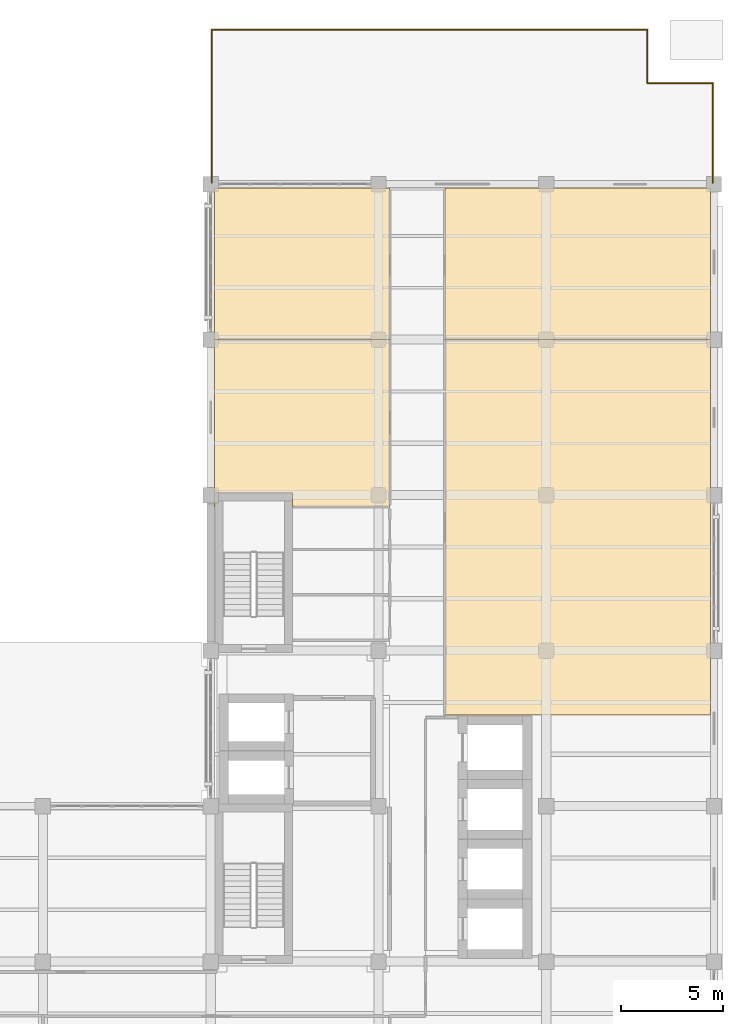
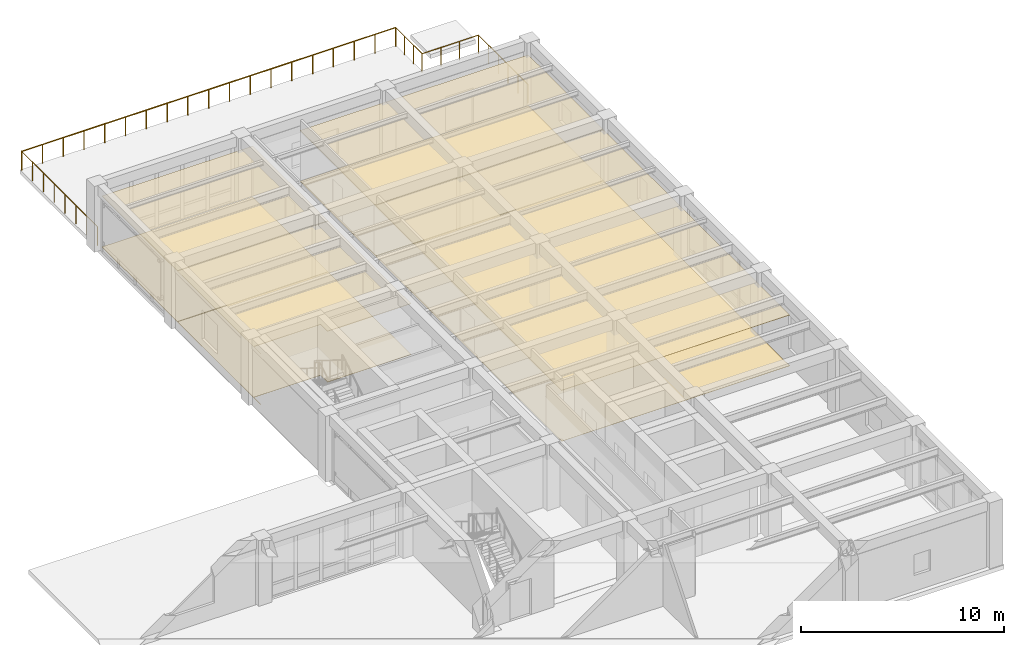
# One storey, part 12 of 12: 8 coverings, 5 railings.
"""IFC4 building model written with IfcOpenShell, lengths in metres."""

from ifc_helpers import new_model, si_unit, direction, frame, origin, origin_2d, place, context, subcontext, project, spatial, polyline, circle, outline, extrude, material, layer, layer_set, type_object, element, save


model = new_model("IFC4")

# Units and contexts
model_context = context("Model", 3, precision=1e-05, world=origin(), true_north=direction((0.0, 1.0)))
body_context = subcontext(model_context, "Body", "Model", "MODEL_VIEW")
ifc_project = project(units=[si_unit("LENGTHUNIT", "METRE"), si_unit("AREAUNIT", "SQUARE_METRE"), si_unit("VOLUMEUNIT", "CUBIC_METRE"), si_unit("PLANEANGLEUNIT", "RADIAN"), si_unit("MASSUNIT", "GRAM", prefix="KILO")], contexts=[model_context])

# Site, building, storey
site_placement = place(None, origin())
site = spatial("IfcSite", under=ifc_project, at=site_placement, CompositionType="ELEMENT")
building_placement = place(site_placement, origin())
building = spatial("IfcBuilding", under=site, at=building_placement, Name="Qandaris Square Conservatory and Botanical Centre", CompositionType="ELEMENT")
storey_placement = place(building_placement, frame((0.0, 0.0, 53.39990234375)))
storey = spatial("IfcBuildingStorey", under=building, at=storey_placement, Name="L12", CompositionType="ELEMENT", Elevation=53.39990234375)

# Coverings
ifc_material_1 = material(Name="Honed Qatari Limestone", Category="masonry")
ifc_layer_1 = layer(ifc_material_1, 0.030029296875)
ifc_layer_set_1 = layer_set([ifc_layer_1], Name="Honed Qatari Limestone")
covering_type_1 = type_object("IfcCoveringType", Name="Honed Qatari Limestone Concourse Paving", PredefinedType="FLOORING", material=ifc_layer_set_1)
covering_1_placement = place(storey_placement, origin())
element("IfcCovering", 1, at=covering_1_placement, inside=storey, type_object=covering_type_1, Name="Metabolomics Collaborative Seminar Room Flooring", PredefinedType="FLOORING", context=body_context, shape_type="SweptSolid", body=[
    extrude(outline(polyline([(147.949951171875, 61.89990234375), (147.949951171875, 54.60009765625), (139.3798828125, 54.60009765625), (139.3798828125, 62.02001953125), (147.949951171875, 62.02001953125), (147.949951171875, 61.89990234375)])), origin(), (0.0, 0.0, 1.0), 0.030029296875),
])
covering_2_placement = place(storey_placement, origin())
element("IfcCovering", 2, at=covering_2_placement, inside=storey, type_object=covering_type_1, Name="Floor L12 Staff Write-Up Lounge Flooring", PredefinedType="FLOORING", context=body_context, shape_type="SweptSolid", body=[
    extrude(outline(polyline([(150.64990234375, 54.60009765625), (150.64990234375, 61.89990234375), (150.64990234375, 62.02001953125), (163.6201171875, 62.02001953125), (163.6201171875, 54.60009765625), (150.64990234375, 54.60009765625)])), origin(), (0.0, 0.0, 1.0), 0.030029296875),
])
ifc_material_2 = material(Name="Gypsum Plasterboard", Category="gypsum")
ifc_layer_2 = layer(ifc_material_2, 0.02490234375)
ifc_layer_set_2 = layer_set([ifc_layer_2], Name="Gypsum Plasterboard")
covering_type_2 = type_object("IfcCoveringType", Name="Perforated Acoustic Lab Ceiling Tile", PredefinedType="CEILING", material=ifc_layer_set_2)
covering_3_placement = place(storey_placement, frame((0.0, 0.0, 3.050048828125)))
element("IfcCovering", 3, at=covering_3_placement, inside=storey, type_object=covering_type_2, Name="Molecular Plant Biology Analytical Laboratory Ceiling", PredefinedType="CEILING", context=body_context, shape_type="SweptSolid", body=[
    extrude(outline(polyline([(150.64990234375, 54.60009765625), (163.6201171875, 54.60009765625), (163.6201171875, 36.25), (150.64990234375, 36.25), (150.64990234375, 54.60009765625)])), origin(), (0.0, 0.0, 1.0), 0.025146484375),
])
covering_4_placement = place(storey_placement, frame((0.0, 0.0, 3.050048828125)))
element("IfcCovering", 4, at=covering_4_placement, inside=storey, type_object=covering_type_2, Name="Cell Wall Biophysics Specimen Prep Room Ceiling", PredefinedType="CEILING", context=body_context, shape_type="SweptSolid", body=[
    extrude(outline(polyline([(147.949951171875, 46.419921875), (143.199951171875, 46.419921875), (143.199951171875, 47.10009765625), (139.39990234375, 47.10009765625), (139.39990234375, 46.419921875), (139.3798828125, 46.419921875), (139.3798828125, 54.60009765625), (147.949951171875, 54.60009765625), (147.949951171875, 46.419921875)])), origin(), (0.0, 0.0, 1.0), 0.025146484375),
])
ifc_material_3 = material(Name="Epoxy Resin Screed", Category="finish")
ifc_layer_3 = layer(ifc_material_3, 0.014892578125)
ifc_layer_set_3 = layer_set([ifc_layer_3], Name="Epoxy Resin Screed")
covering_type_3 = type_object("IfcCoveringType", Name="Seamless Epoxy Laboratory Flooring", PredefinedType="FLOORING", material=ifc_layer_set_3)
covering_5_placement = place(storey_placement, origin())
element("IfcCovering", 5, at=covering_5_placement, inside=storey, type_object=covering_type_3, Name="Molecular Plant Biology Analytical Laboratory Flooring", PredefinedType="FLOORING", context=body_context, shape_type="SweptSolid", body=[
    extrude(outline(polyline([(150.64990234375, 54.60009765625), (163.6201171875, 54.60009765625), (163.6201171875, 36.25), (150.64990234375, 36.25), (150.64990234375, 54.60009765625)])), origin(), (0.0, 0.0, 1.0), 0.01513671875),
])
covering_6_placement = place(storey_placement, origin())
element("IfcCovering", 6, at=covering_6_placement, inside=storey, type_object=covering_type_3, Name="Cell Wall Biophysics Specimen Prep Room Flooring", PredefinedType="FLOORING", context=body_context, shape_type="SweptSolid", body=[
    extrude(outline(polyline([(147.949951171875, 46.419921875), (143.199951171875, 46.419921875), (143.199951171875, 47.10009765625), (139.39990234375, 47.10009765625), (139.39990234375, 46.419921875), (139.3798828125, 46.419921875), (139.3798828125, 54.60009765625), (147.949951171875, 54.60009765625), (147.949951171875, 46.419921875)])), origin(), (0.0, 0.0, 1.0), 0.01513671875),
])
ifc_material_4 = material(Name="Engineered Oak Timber", Category="wood")
ifc_layer_4 = layer(ifc_material_4, 0.0400390625)
ifc_layer_set_4 = layer_set([ifc_layer_4], Name="Engineered Oak Timber")
covering_type_4 = type_object("IfcCoveringType", Name="Slatted Oak Acoustic Gallery Ceiling", PredefinedType="CEILING", material=ifc_layer_set_4)
covering_7_placement = place(storey_placement, frame((0.0, 0.0, 3.050048828125)))
element("IfcCovering", 7, at=covering_7_placement, inside=storey, type_object=covering_type_4, Name="Metabolomics Collaborative Seminar Room Ceiling", PredefinedType="CEILING", context=body_context, shape_type="SweptSolid", body=[
    extrude(outline(polyline([(147.949951171875, 61.89990234375), (147.949951171875, 54.60009765625), (139.3798828125, 54.60009765625), (139.3798828125, 62.02001953125), (147.949951171875, 62.02001953125), (147.949951171875, 61.89990234375)])), origin(), (0.0, 0.0, 1.0), 0.0400390625),
])
covering_8_placement = place(storey_placement, frame((0.0, 0.0, 3.050048828125)))
element("IfcCovering", 8, at=covering_8_placement, inside=storey, type_object=covering_type_4, Name="Floor L12 Staff Write-Up Lounge Ceiling", PredefinedType="CEILING", context=body_context, shape_type="SweptSolid", body=[
    extrude(outline(polyline([(150.64990234375, 54.60009765625), (150.64990234375, 61.89990234375), (150.64990234375, 62.02001953125), (163.6201171875, 62.02001953125), (163.6201171875, 54.60009765625), (150.64990234375, 54.60009765625)])), origin(), (0.0, 0.0, 1.0), 0.0400390625),
])

# Railings
ifc_material_5 = material(Name="Weathering Bronze Alloy", Category="metal")
railing_type = type_object("IfcRailingType", Name="Terrace Perimeter Prairie Guardrail 1150mm", PredefinedType="GUARDRAIL", material=ifc_material_5)
railing_1_placement = place(storey_placement, frame((139.260009765625, 62.260009765625, 0.0)))
element("IfcRailing", 9, at=railing_1_placement, inside=storey, type_object=railing_type, Name="Phytochemistry Setback Terrace L12 Guardrail 2", PredefinedType="GUARDRAIL", context=body_context, shape_type="SweptSolid", body=[
    extrude(circle(Radius=0.02392578125, at=origin_2d()), frame((0.0, 0.0, 1.1259765625), z_axis=(0.0, 1.0, 0.0), x_axis=(-1.0, 0.0, 0.0)), (0.0, 0.0, 1.0), 7.47998046875),
    extrude(circle(Radius=0.02099609375, at=origin_2d()), origin(), (0.0, 0.0, 1.0), 1.101806640625),
    extrude(circle(Radius=0.02099609375, at=origin_2d()), frame((0.0, 1.068603515625, 0.0)), (0.0, 0.0, 1.0), 1.101806640625),
    extrude(circle(Radius=0.02099609375, at=origin_2d()), frame((0.0, 2.13720703125, 0.0)), (0.0, 0.0, 1.0), 1.101806640625),
    extrude(circle(Radius=0.02099609375, at=origin_2d()), frame((0.0, 3.205810546875, 0.0)), (0.0, 0.0, 1.0), 1.101806640625),
    extrude(circle(Radius=0.02099609375, at=origin_2d()), frame((0.0, 4.274169921875, 0.0)), (0.0, 0.0, 1.0), 1.101806640625),
    extrude(circle(Radius=0.02099609375, at=origin_2d()), frame((0.0, 5.3427734375, 0.0)), (0.0, 0.0, 1.0), 1.101806640625),
    extrude(circle(Radius=0.02099609375, at=origin_2d()), frame((0.0, 6.411376953125, 0.0)), (0.0, 0.0, 1.0), 1.101806640625),
    extrude(circle(Radius=0.02099609375, at=origin_2d()), frame((0.0, 7.47998046875, 0.0)), (0.0, 0.0, 1.0), 1.101806640625),
])
railing_2_placement = place(storey_placement, frame((139.260009765625, 69.739990234375, 0.0)))
element("IfcRailing", 10, at=railing_2_placement, inside=storey, type_object=railing_type, Name="Phytochemistry Setback Terrace L12 Guardrail 3", PredefinedType="GUARDRAIL", context=body_context, shape_type="SweptSolid", body=[
    extrude(circle(Radius=0.02392578125, at=origin_2d()), frame((0.0, 0.0, 1.1259765625), z_axis=(1.0, 0.0, 0.0), x_axis=(0.0, 1.0, 0.0)), (0.0, 0.0, 1.0), 21.280029296875),
    extrude(circle(Radius=0.02099609375, at=origin_2d()), origin(), (0.0, 0.0, 1.0), 1.101806640625),
    extrude(circle(Radius=0.02099609375, at=origin_2d()), frame((1.18212890625, 0.0, 0.0)), (0.0, 0.0, 1.0), 1.101806640625),
    extrude(circle(Radius=0.02099609375, at=origin_2d()), frame((2.364501953125, 0.0, 0.0)), (0.0, 0.0, 1.0), 1.101806640625),
    extrude(circle(Radius=0.02099609375, at=origin_2d()), frame((3.546630859375, 0.0, 0.0)), (0.0, 0.0, 1.0), 1.101806640625),
    extrude(circle(Radius=0.02099609375, at=origin_2d()), frame((4.72900390625, 0.0, 0.0)), (0.0, 0.0, 1.0), 1.101806640625),
    extrude(circle(Radius=0.02099609375, at=origin_2d()), frame((5.9111328125, 0.0, 0.0)), (0.0, 0.0, 1.0), 1.101806640625),
    extrude(circle(Radius=0.02099609375, at=origin_2d()), frame((7.09326171875, 0.0, 0.0)), (0.0, 0.0, 1.0), 1.101806640625),
    extrude(circle(Radius=0.02099609375, at=origin_2d()), frame((8.275634765625, 0.0, 0.0)), (0.0, 0.0, 1.0), 1.101806640625),
    extrude(circle(Radius=0.02099609375, at=origin_2d()), frame((9.457763671875, 0.0, 0.0)), (0.0, 0.0, 1.0), 1.101806640625),
    extrude(circle(Radius=0.02099609375, at=origin_2d()), frame((10.64013671875, 0.0, 0.0)), (0.0, 0.0, 1.0), 1.101806640625),
    extrude(circle(Radius=0.02099609375, at=origin_2d()), frame((11.822265625, 0.0, 0.0)), (0.0, 0.0, 1.0), 1.101806640625),
    extrude(circle(Radius=0.02099609375, at=origin_2d()), frame((13.00439453125, 0.0, 0.0)), (0.0, 0.0, 1.0), 1.101806640625),
    extrude(circle(Radius=0.02099609375, at=origin_2d()), frame((14.186767578125, 0.0, 0.0)), (0.0, 0.0, 1.0), 1.101806640625),
    extrude(circle(Radius=0.02099609375, at=origin_2d()), frame((15.368896484375, 0.0, 0.0)), (0.0, 0.0, 1.0), 1.101806640625),
    extrude(circle(Radius=0.02099609375, at=origin_2d()), frame((16.551025390625, 0.0, 0.0)), (0.0, 0.0, 1.0), 1.101806640625),
    extrude(circle(Radius=0.02099609375, at=origin_2d()), frame((17.7333984375, 0.0, 0.0)), (0.0, 0.0, 1.0), 1.101806640625),
    extrude(circle(Radius=0.02099609375, at=origin_2d()), frame((18.91552734375, 0.0, 0.0)), (0.0, 0.0, 1.0), 1.101806640625),
    extrude(circle(Radius=0.02099609375, at=origin_2d()), frame((20.097900390625, 0.0, 0.0)), (0.0, 0.0, 1.0), 1.101806640625),
    extrude(circle(Radius=0.02099609375, at=origin_2d()), frame((21.280029296875, 0.0, 0.0)), (0.0, 0.0, 1.0), 1.101806640625),
])
railing_3_placement = place(storey_placement, frame((160.5400390625, 69.739990234375, 0.0)))
element("IfcRailing", 11, at=railing_3_placement, inside=storey, type_object=railing_type, Name="Phytochemistry Setback Terrace L12 Guardrail 4", PredefinedType="GUARDRAIL", context=body_context, shape_type="SweptSolid", body=[
    extrude(circle(Radius=0.02392578125, at=origin_2d()), frame((0.0, 0.0, 1.1259765625), z_axis=(0.0, -1.0, 0.0), x_axis=(1.0, 0.0, 0.0)), (0.0, 0.0, 1.0), 2.60009765625),
    extrude(circle(Radius=0.02099609375, at=origin_2d()), origin(), (0.0, 0.0, 1.0), 1.101806640625),
    extrude(circle(Radius=0.02099609375, at=origin_2d()), frame((0.0, -0.86669921875, 0.0)), (0.0, 0.0, 1.0), 1.101806640625),
    extrude(circle(Radius=0.02099609375, at=origin_2d()), frame((0.0, -1.7333984375, 0.0)), (0.0, 0.0, 1.0), 1.101806640625),
    extrude(circle(Radius=0.02099609375, at=origin_2d()), frame((0.0, -2.60009765625, 0.0)), (0.0, 0.0, 1.0), 1.101806640625),
])
railing_4_placement = place(storey_placement, frame((160.5400390625, 67.139892578125, 0.0)))
element("IfcRailing", 12, at=railing_4_placement, inside=storey, type_object=railing_type, Name="Phytochemistry Setback Terrace L12 Guardrail 5", PredefinedType="GUARDRAIL", context=body_context, shape_type="SweptSolid", body=[
    extrude(circle(Radius=0.02392578125, at=origin_2d()), frame((0.0, 0.0, 1.1259765625), z_axis=(1.0, 0.0, 0.0), x_axis=(0.0, 1.0, 0.0)), (0.0, 0.0, 1.0), 3.199951171875),
    extrude(circle(Radius=0.02099609375, at=origin_2d()), origin(), (0.0, 0.0, 1.0), 1.101806640625),
    extrude(circle(Radius=0.02099609375, at=origin_2d()), frame((1.066650390625, 0.0, 0.0)), (0.0, 0.0, 1.0), 1.101806640625),
    extrude(circle(Radius=0.02099609375, at=origin_2d()), frame((2.13330078125, 0.0, 0.0)), (0.0, 0.0, 1.0), 1.101806640625),
    extrude(circle(Radius=0.02099609375, at=origin_2d()), frame((3.199951171875, 0.0, 0.0)), (0.0, 0.0, 1.0), 1.101806640625),
])
railing_5_placement = place(storey_placement, frame((163.739990234375, 67.139892578125, 0.0)))
element("IfcRailing", 13, at=railing_5_placement, inside=storey, type_object=railing_type, Name="Phytochemistry Setback Terrace L12 Guardrail 6", PredefinedType="GUARDRAIL", context=body_context, shape_type="SweptSolid", body=[
    extrude(circle(Radius=0.02392578125, at=origin_2d()), frame((0.0, 0.0, 1.1259765625), z_axis=(0.0, -1.0, 0.0), x_axis=(1.0, 0.0, 0.0)), (0.0, 0.0, 1.0), 4.8798828125),
    extrude(circle(Radius=0.02099609375, at=origin_2d()), origin(), (0.0, 0.0, 1.0), 1.101806640625),
    extrude(circle(Radius=0.02099609375, at=origin_2d()), frame((0.0, -0.97607421875, 0.0)), (0.0, 0.0, 1.0), 1.101806640625),
    extrude(circle(Radius=0.02099609375, at=origin_2d()), frame((0.0, -1.951904296875, 0.0)), (0.0, 0.0, 1.0), 1.101806640625),
    extrude(circle(Radius=0.02099609375, at=origin_2d()), frame((0.0, -2.927978515625, 0.0)), (0.0, 0.0, 1.0), 1.101806640625),
    extrude(circle(Radius=0.02099609375, at=origin_2d()), frame((0.0, -3.90380859375, 0.0)), (0.0, 0.0, 1.0), 1.101806640625),
    extrude(circle(Radius=0.02099609375, at=origin_2d()), frame((0.0, -4.8798828125, 0.0)), (0.0, 0.0, 1.0), 1.101806640625),
])

save(model, "model.ifc")
